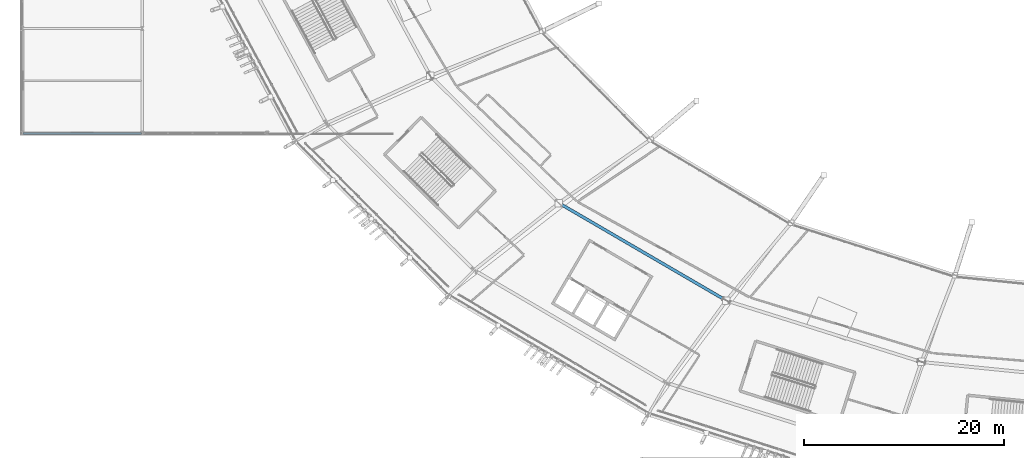
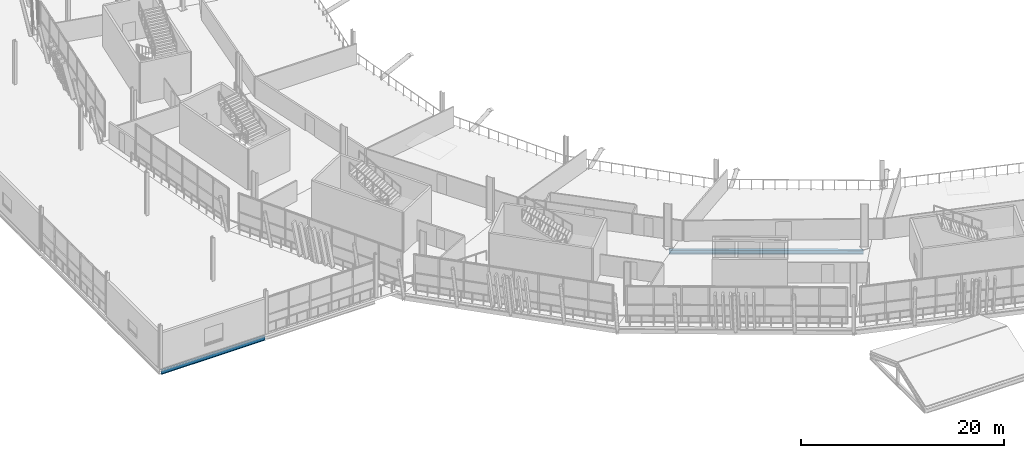
# One storey, part 23 of 168: 2 beams.
"""IFC4 building model written with IfcOpenShell, lengths in metres."""

import ifcopenshell
import ifcopenshell.guid

model = None  # the IFC model being written
_history = None  # IfcOwnerHistory: only IFC2X3 demands one
_inside = {}  # id of a spatial element -> (the spatial element, [elements in it])
_under = {}  # id of a project, library or spatial element -> (it, [spatial elements below it])
_declared = {}  # id of a project -> (the project, [libraries it declares])
_typed = {}  # id of a type object -> (the type object, [elements of that type])
_made_of = {}  # id of a material, layer set ... -> (it, [elements and type objects made of it])


def new_model(schema):
    """Start an empty IFC model of exactly this schema.

    Asked for "IFC4X3", IfcOpenShell would pick the latest addendum, in which some entities
    have other attributes; the version numbers below select the first issue.
    IFC2X3 requires an IfcOwnerHistory on every rooted entity: one is made here for all.
    """
    global model, _history
    if schema == "IFC4X3":
        model = ifcopenshell.file(schema_version=(4, 3, 0, 0))
    else:
        model = ifcopenshell.file(schema=schema)
    _inside.clear()
    _under.clear()
    _declared.clear()
    _typed.clear()
    _made_of.clear()
    _history = None
    if model.schema == "IFC2X3":
        org = make("IfcOrganization", Name="unknown")
        user = make(
            "IfcPersonAndOrganization",
            ThePerson=make("IfcPerson", FamilyName="unknown"),
            TheOrganization=org,
        )
        app = make(
            "IfcApplication",
            ApplicationDeveloper=org,
            Version="unknown",
            ApplicationFullName="unknown",
            ApplicationIdentifier="unknown",
        )
        _history = make(
            "IfcOwnerHistory",
            OwningUser=user,
            OwningApplication=app,
            ChangeAction="ADDED",
            CreationDate=0,
        )
    return model


def make(cls, **values):
    """One entity of the class cls with the attributes given. An attribute that is None is left unset."""
    return model.create_entity(
        cls, **{name: value for name, value in values.items() if value is not None}
    )


def rooted(cls, **values):
    """An entity with a GlobalId (a new one), such as an element, a storey or a relation."""
    return make(cls, GlobalId=ifcopenshell.guid.new(), OwnerHistory=_history, **values)


def si_unit(unit_type, name, prefix=None):
    """IfcSIUnit, for example si_unit("LENGTHUNIT", "METRE", prefix="MILLI")."""
    return make("IfcSIUnit", UnitType=unit_type, Prefix=prefix, Name=name)


def assignment(units):
    """IfcUnitAssignment: the units of a project."""
    return None if units is None else make("IfcUnitAssignment", Units=units)


def point(xyz):
    """IfcCartesianPoint."""
    return None if xyz is None else make("IfcCartesianPoint", Coordinates=xyz)


def direction(xyz):
    """IfcDirection."""
    return None if xyz is None else make("IfcDirection", DirectionRatios=xyz)


def frame(location, z_axis=None, x_axis=None):
    """IfcAxis2Placement3D, a coordinate frame: its origin and axes. An axis left out is left unset."""
    return make(
        "IfcAxis2Placement3D",
        Location=point(location),
        Axis=direction(z_axis),
        RefDirection=direction(x_axis),
    )


def frame_2d(location, x_axis=None):
    """IfcAxis2Placement2D, a coordinate frame in the plane: its origin and x axis."""
    return make(
        "IfcAxis2Placement2D", Location=point(location), RefDirection=direction(x_axis)
    )


def origin():
    """The frame at (0, 0, 0) with its axes left unset."""
    return frame((0.0, 0.0, 0.0))


def origin_2d():
    """The frame at (0, 0) in the plane with its x axis left unset."""
    return frame_2d((0.0, 0.0))


def place(relative_to, where):
    """IfcLocalPlacement: puts the frame where relative to a parent placement (None: the world)."""
    return make(
        "IfcLocalPlacement", PlacementRelTo=relative_to, RelativePlacement=where
    )


def context(
    kind, dimensions, precision=None, world=None, true_north=None, identifier=None
):
    """IfcGeometricRepresentationContext, for example the 3D "Model" context."""
    return make(
        "IfcGeometricRepresentationContext",
        ContextIdentifier=identifier,
        ContextType=kind,
        CoordinateSpaceDimension=dimensions,
        Precision=precision,
        WorldCoordinateSystem=world,
        TrueNorth=true_north,
    )


def subcontext(parent, identifier, kind, view, scale=None):
    """IfcGeometricRepresentationSubContext, for example "Body" below "Model"."""
    return make(
        "IfcGeometricRepresentationSubContext",
        ContextIdentifier=identifier,
        ContextType=kind,
        ParentContext=parent,
        TargetScale=scale,
        TargetView=view,
    )


def project(units=None, contexts=None):
    """IfcProject with its units and contexts."""
    return rooted(
        "IfcProject",
        Name="project",
        RepresentationContexts=contexts,
        UnitsInContext=assignment(units),
    )


def spatial(cls, under=None, at=None, **own):
    """A site, building, storey or space (cls), placed at a placement, below another one or the project."""
    s = rooted(cls, ObjectPlacement=at, **own)
    if under is not None:
        _under.setdefault(under.id(), (under, []))[1].append(s)
    return s


def profile(cls, at=None, kind="AREA", **sizes):
    """A parametric profile (cls). Its sizes go by their IFC names, for example OverallWidth=200.0."""
    return make(cls, ProfileType=kind, Position=at, **sizes)


def i_section(**sizes):
    """IfcIShapeProfileDef."""
    return profile("IfcIShapeProfileDef", **sizes)


def extrude(swept, where, along, depth):
    """IfcExtrudedAreaSolid: the profile swept, set in the frame where, extruded along a direction by depth."""
    return make(
        "IfcExtrudedAreaSolid",
        SweptArea=swept,
        Position=where,
        ExtrudedDirection=direction(along),
        Depth=depth,
    )


def shape(context_of_items, identifier, shape_type, items):
    """IfcShapeRepresentation: the items that make up one representation, for example the "Body"."""
    return make(
        "IfcShapeRepresentation",
        ContextOfItems=context_of_items,
        RepresentationIdentifier=identifier,
        RepresentationType=shape_type,
        Items=items,
    )


def material(Name=None, Category=None):
    """IfcMaterial."""
    return make("IfcMaterial", Name=Name, Category=Category)


def material_profile(
    of_material, cross_section, Name=None, Category=None, Priority=None
):
    """IfcMaterialProfile: a cross section and its material."""
    return make(
        "IfcMaterialProfile",
        Name=Name,
        Material=of_material,
        Profile=cross_section,
        Priority=Priority,
        Category=Category,
    )


def profile_set(profiles, Name=None, composite=None):
    """IfcMaterialProfileSet."""
    return make(
        "IfcMaterialProfileSet",
        Name=Name,
        MaterialProfiles=profiles,
        CompositeProfile=composite,
    )


def made_of(thing, what):
    """Note that an element or type object is made of a material, layer set ...; save() writes the relation."""
    if what is not None:
        _made_of.setdefault(what.id(), (what, []))[1].append(thing)
    return thing


def type_object(cls, material=None, **own):
    """A type object (cls), such as IfcWallType, which elements share."""
    return made_of(rooted(cls, **own), material)


def element(
    cls,
    number,
    at=None,
    inside=None,
    cuts=None,
    type_object=None,
    material=None,
    context=None,
    identifier="Body",
    shape_type=None,
    held_by="IfcProductDefinitionShape",
    body=None,
    shapes=None,
    **own,
):
    """One element of the class cls, such as IfcWall. Its Tag is "e" and its number.

    at: its placement. inside: the storey or other place that contains it. cuts: it is an
    opening in that element (IfcRelVoidsElement). A single representation is given by context,
    identifier, shape_type and body (its items); several are given by shapes. held_by: the class
    of the entity that holds the representations. save() writes the other relations.
    """
    e = rooted(cls, Tag="e%d" % number, ObjectPlacement=at, **own)
    if body is not None:
        shapes = [shape(context, identifier, shape_type, body)]
    if shapes is not None:
        e.Representation = make(held_by, Representations=shapes)
    if inside is not None:
        _inside.setdefault(inside.id(), (inside, []))[1].append(e)
    if cuts is not None:
        rooted(
            "IfcRelVoidsElement", RelatingBuildingElement=cuts, RelatedOpeningElement=e
        )
    if type_object is not None:
        _typed.setdefault(type_object.id(), (type_object, []))[1].append(e)
    return made_of(e, material)


def aggregate(whole, parts):
    """IfcRelAggregates: a whole, such as a stair, and the parts it consists of."""
    return rooted("IfcRelAggregates", RelatingObject=whole, RelatedObjects=parts)


def save(model, path):
    """Write the relations noted so far, then the file.

    IfcRelAggregates (storeys below a building ...), IfcRelContainedInSpatialStructure (elements
    in a storey), IfcRelDefinesByType, IfcRelAssociatesMaterial and IfcRelDeclares: one each for
    every whole, place, type object, material and project.
    """
    for whole, parts in _under.values():
        aggregate(whole, parts)
    for where, things in _inside.values():
        rooted(
            "IfcRelContainedInSpatialStructure",
            RelatedElements=things,
            RelatingStructure=where,
        )
    for kind, things in _typed.values():
        rooted("IfcRelDefinesByType", RelatedObjects=things, RelatingType=kind)
    for what, things in _made_of.values():
        rooted("IfcRelAssociatesMaterial", RelatedObjects=things, RelatingMaterial=what)
    for by, libraries in _declared.values():
        rooted("IfcRelDeclares", RelatingContext=by, RelatedDefinitions=libraries)
    model.write(path)


model = new_model("IFC4")

# Units and contexts
model_context = context("Model", 3, precision=1e-05, world=origin(), true_north=direction((0.0, 1.0)))
body_context = subcontext(model_context, "Body", "Model", "MODEL_VIEW")
ifc_project = project(units=[si_unit("LENGTHUNIT", "METRE"), si_unit("AREAUNIT", "SQUARE_METRE"), si_unit("VOLUMEUNIT", "CUBIC_METRE"), si_unit("PLANEANGLEUNIT", "RADIAN"), si_unit("MASSUNIT", "GRAM", prefix="KILO")], contexts=[model_context])

# Site, building, storey
site_placement = place(None, origin())
site = spatial("IfcSite", under=ifc_project, at=site_placement, CompositionType="ELEMENT")
building_placement = place(site_placement, origin())
building = spatial("IfcBuilding", under=site, at=building_placement, Name="Zlatoyarsky Gate Stadium", CompositionType="ELEMENT")
storey_placement = place(building_placement, frame((0.0, 0.0, 15.60009765625)))
storey = spatial("IfcBuildingStorey", under=building, at=storey_placement, Name="L03", CompositionType="ELEMENT", Elevation=15.60009765625)

# Beams
ifc_material = material(Name="Steel S355", Category="steel")
ifc_material_profile_1 = material_profile(ifc_material, i_section(OverallWidth=0.199951171875, OverallDepth=0.5, WebThickness=0.01025390625, FlangeThickness=0.01611328125, FilletRadius=0.02099609375, at=origin_2d()), Name="IPE 500")
ifc_profile_set_1 = profile_set([ifc_material_profile_1], Name="Steel S355")
beam_type_1 = type_object("IfcBeamType", Name="STEEL FLOOR BEAM IPE 500", PredefinedType="BEAM", material=ifc_profile_set_1)
beam_1_placement = place(storey_placement, frame((0.080078125, 43.5, -0.530029296875), z_axis=(1.0, 0.0, 0.0), x_axis=(0.0, 1.0, 0.0)))
element("IfcBeam", 1, at=beam_1_placement, inside=storey, type_object=beam_type_1, Name="Beam B-IPE500 BM-L03-WGX-1-E", PredefinedType="BEAM", context=body_context, shape_type="SweptSolid", body=[
    extrude(i_section(OverallWidth=0.199951171875, OverallDepth=0.5, WebThickness=0.01025390625, FlangeThickness=0.01611328125, FilletRadius=0.02099609375, at=origin_2d()), origin(), (0.0, 0.0, 1.0), 11.83984375),
])
ifc_material_profile_2 = material_profile(ifc_material, i_section(OverallWidth=0.300048828125, OverallDepth=0.5, WebThickness=0.014404296875, FlangeThickness=0.028076171875, FilletRadius=0.027099609375, at=origin_2d()), Name="HEB 500")
ifc_profile_set_2 = profile_set([ifc_material_profile_2], Name="Steel S355")
beam_type_2 = type_object("IfcBeamType", Name="STEEL PRIMARY GIRDER HEB 500", PredefinedType="BEAM", material=ifc_profile_set_2)
beam_2_placement = place(storey_placement, frame((53.828125, 36.452392578125, -0.530029296875), z_axis=(0.864054462945, -0.503398336375, 0.0), x_axis=(0.503398336375, 0.864054462945, 0.0)))
element("IfcBeam", 2, at=beam_2_placement, inside=storey, type_object=beam_type_2, Name="Beam G-HEB500 BM-L03-CRB-15", PredefinedType="BEAM", context=body_context, shape_type="SweptSolid", body=[
    extrude(i_section(OverallWidth=0.300048828125, OverallDepth=0.5, WebThickness=0.014404296875, FlangeThickness=0.028076171875, FilletRadius=0.027099609375, at=origin_2d()), origin(), (0.0, 0.0, 1.0), 19.1748046875),
])

save(model, "model.ifc")
